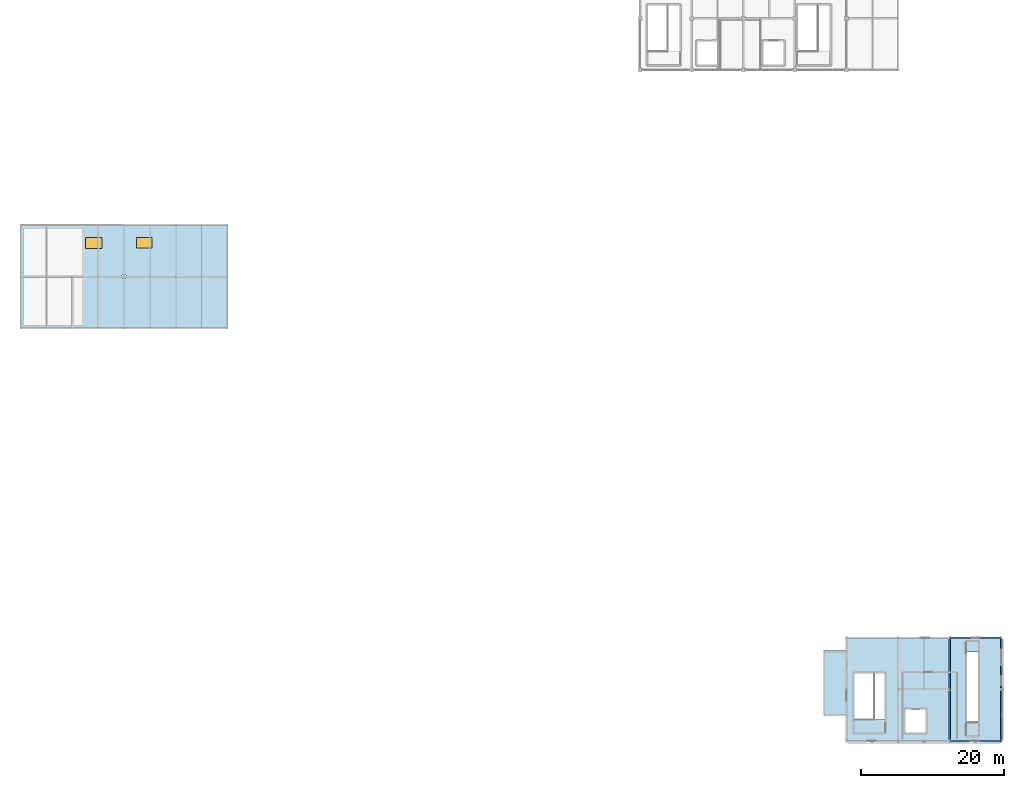
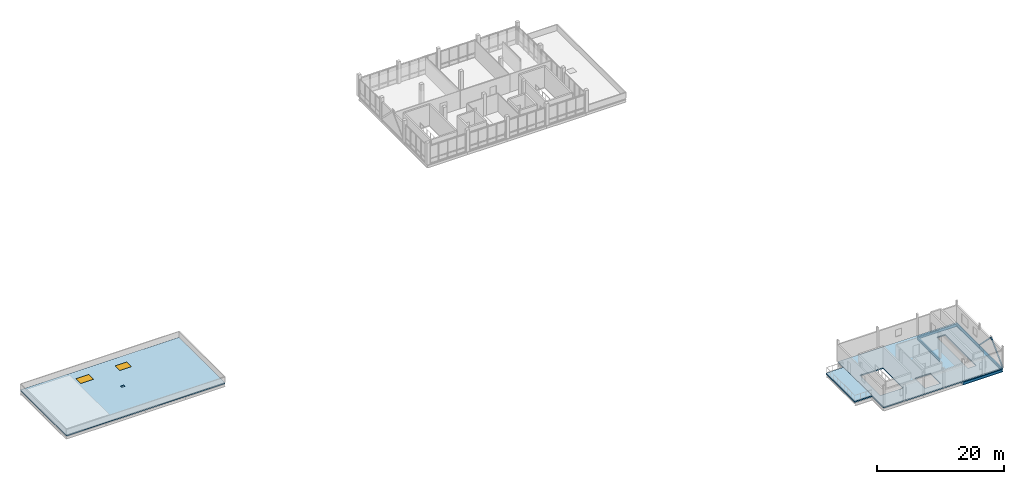
# One storey, part 15 of 28: 6 beams, 3 slabs, 2 members, 2 windows, 2 openings.
"""IFC4 building model written with IfcOpenShell, lengths in metres."""

from ifc_helpers import new_model, si_unit, direction, frame, origin, origin_2d, place, context, subcontext, project, spatial, polyline, rectangle, hollow_rectangle, i_section, outline, extrude, material, layer, layer_set, material_profile, profile_set, type_object, element, fill, save


model = new_model("IFC4")

# Units and contexts
model_context = context("Model", 3, precision=1e-05, world=origin(), true_north=direction((0.0, 1.0)))
body_context = subcontext(model_context, "Body", "Model", "MODEL_VIEW")
ifc_project = project(units=[si_unit("LENGTHUNIT", "METRE"), si_unit("AREAUNIT", "SQUARE_METRE"), si_unit("VOLUMEUNIT", "CUBIC_METRE"), si_unit("PLANEANGLEUNIT", "RADIAN"), si_unit("MASSUNIT", "GRAM", prefix="KILO")], contexts=[model_context])

# Site, building, storey
site_placement = place(None, origin())
site = spatial("IfcSite", under=ifc_project, at=site_placement, CompositionType="ELEMENT")
building_placement = place(site_placement, origin())
building = spatial("IfcBuilding", under=site, at=building_placement, Name="Yarey Park Central Fire Station", CompositionType="ELEMENT")
storey_placement = place(building_placement, frame((0.0, 0.0, 22.199951171875)))
storey = spatial("IfcBuildingStorey", under=building, at=storey_placement, Name="L06", CompositionType="ELEMENT", Elevation=22.199951171875)

# Beams
ifc_material_1 = material(Name="Steel ASTM A992 Gr. 50", Category="steel")
ifc_material_profile_1 = material_profile(ifc_material_1, i_section(OverallWidth=0.208984375, OverallDepth=0.532958984375, WebThickness=0.01025390625, FlangeThickness=0.015625, at=origin_2d()), Name="W530x92")
ifc_profile_set_1 = profile_set([ifc_material_profile_1], Name="Steel ASTM A992 Gr. 50")
beam_type = type_object("IfcBeamType", Name="STR_BM_W530", PredefinedType="BEAM", material=ifc_profile_set_1)
for number, where, z_axis, x_axis, name in (
    (1, (158.39990234375, 0.0, -0.491455078125), (1.0, 0.0, 0.0), (0.0, 1.0, 0.0), "BMX L06 Y0 X1584"),
    (2, (158.39990234375, 14.39990234375, -0.491455078125), (1.0, 0.0, 0.0), (0.0, 1.0, 0.0), "BMX L06 Y144 X1584"),
):
    element("IfcBeam", number, at=place(storey_placement, frame(where, z_axis=z_axis, x_axis=x_axis)), inside=storey, type_object=beam_type, Name=name, PredefinedType="BEAM", context=body_context, shape_type="SweptSolid", body=[
        extrude(i_section(OverallWidth=0.208984375, OverallDepth=0.532958984375, WebThickness=0.01025390625, FlangeThickness=0.015625, at=origin_2d()), origin(), (0.0, 0.0, 1.0), 7.2001953125),
    ])
for number, where, z_axis, x_axis, name in (
    (3, (158.39990234375, 0.0, -0.491455078125), (0.0, 1.0, 0.0), (-1.0, 0.0, 0.0), "BMY L06 X1584 Y0"),
    (4, (158.39990234375, 7.199951171875, -0.491455078125), (0.0, 1.0, 0.0), (-1.0, 0.0, 0.0), "BMY L06 X1584 Y72"),
    (5, (165.60009765625, 0.0, -0.491455078125), (0.0, 1.0, 0.0), (-1.0, 0.0, 0.0), "BMY L06 X1656 Y0"),
    (6, (165.60009765625, 7.199951171875, -0.491455078125), (0.0, 1.0, 0.0), (-1.0, 0.0, 0.0), "BMY L06 X1656 Y72"),
):
    element("IfcBeam", number, at=place(storey_placement, frame(where, z_axis=z_axis, x_axis=x_axis)), inside=storey, type_object=beam_type, Name=name, PredefinedType="BEAM", context=body_context, shape_type="SweptSolid", body=[
        extrude(i_section(OverallWidth=0.208984375, OverallDepth=0.532958984375, WebThickness=0.01025390625, FlangeThickness=0.015625, at=origin_2d()), origin(), (0.0, 0.0, 1.0), 7.199951171875),
    ])

# Members
ifc_material_2 = material(Name="Steel ASTM A500 Gr. C", Category="steel")
ifc_material_profile_2 = material_profile(ifc_material_2, hollow_rectangle(XDim=0.199951171875, YDim=0.199951171875, WallThickness=0.010009765625, at=origin_2d()), Name="HSS 200x200x10")
ifc_profile_set_2 = profile_set([ifc_material_profile_2], Name="Steel ASTM A500 Gr. C")
member_type = type_object("IfcMemberType", Name="STR_CBF_HSS200", PredefinedType="BRACE", material=ifc_profile_set_2)
member_1_placement = place(storey_placement, frame((165.60009765625, 0.0, 0.050048828125), z_axis=(0.0, 0.707106781187, 0.707106781187), x_axis=(-1.0, 0.0, 0.0)))
element("IfcMember", 7, at=member_1_placement, inside=storey, type_object=member_type, Name="CBF_DT_E1_L06", PredefinedType="BRACE", context=body_context, shape_type="SweptSolid", body=[
    extrude(hollow_rectangle(XDim=0.199951171875, YDim=0.199951171875, WallThickness=0.010009765625, at=origin_2d()), origin(), (0.0, 0.0, 1.0), 5.09130859375),
])
member_2_placement = place(storey_placement, frame((165.60009765625, 7.199951171875, 0.050048828125), z_axis=(0.0, -0.707082803744, 0.707130757816), x_axis=(1.0, 0.0, 0.0)))
element("IfcMember", 8, at=member_2_placement, inside=storey, type_object=member_type, Name="CBF_DT_E2_L06", PredefinedType="BRACE", context=body_context, shape_type="SweptSolid", body=[
    extrude(hollow_rectangle(XDim=0.199951171875, YDim=0.199951171875, WallThickness=0.010009765625, at=origin_2d()), origin(), (0.0, 0.0, 1.0), 5.091064453125),
])

# Slab, openings, windows
ifc_material_3 = material(Name="Concrete C40/50", Category="concrete")
ifc_layer_1 = layer(ifc_material_3, 0.2099609375)
ifc_layer_set_1 = layer_set([ifc_layer_1], Name="Concrete C40/50")
slab_type_1 = type_object("IfcSlabType", Name="STR_ROOF_FLAT210", PredefinedType="ROOF", material=ifc_layer_set_1)
slab_1_placement = place(storey_placement, frame((0.0, 0.0, -0.2099609375)))
slab_1 = element("IfcSlab", 9, at=slab_1_placement, inside=storey, type_object=slab_type_1, Name="ROOF_L06_V3_PAV", PredefinedType="ROOF", context=body_context, shape_type="SweptSolid", body=[
    extrude(outline(polyline([(28.800048828125, 57.60009765625), (57.60009765625, 57.60009765625), (57.60009765625, 72.0), (28.800048828125, 72.0), (28.800048828125, 57.60009765625)]), holes=[polyline([(42.89990234375, 64.60009765625), (43.5, 64.60009765625), (43.5, 65.0), (42.89990234375, 65.0), (42.89990234375, 64.60009765625)])]), origin(), (0.0, 0.0, 1.0), 0.2099609375),
])
opening_1_placement = place(slab_1_placement, frame((39.0, 69.5, -0.010009765625)))
opening_1 = element("IfcOpeningElement", 10, at=opening_1_placement, cuts=slab_1, Name="Opening SK-02", PredefinedType="OPENING", context=body_context, shape_type="SweptSolid", body=[
    extrude(rectangle(XDim=2.280029296875, YDim=1.52001953125, at=origin_2d()), origin(), (0.0, 0.0, 1.0), 0.22998046875),
])
opening_2_placement = place(slab_1_placement, frame((46.0, 69.5, -0.010009765625)))
opening_2 = element("IfcOpeningElement", 11, at=opening_2_placement, cuts=slab_1, Name="Opening SK-03", PredefinedType="OPENING", context=body_context, shape_type="SweptSolid", body=[
    extrude(rectangle(XDim=2.159912109375, YDim=1.4599609375, at=origin_2d()), origin(), (0.0, 0.0, 1.0), 0.22998046875),
])
ifc_material_4 = material(Name="Laminated Hurricane Low-E Glass", Category="glass")
window_type_1 = type_object("IfcWindowType", Name="ENV_SKY_02", PartitioningType="SINGLE_PANEL", PredefinedType="SKYLIGHT", material=ifc_material_4)
window_1_placement = place(slab_1_placement, frame((39.0, 69.5, 0.159912109375)))
window_1 = element("IfcWindow", 12, at=window_1_placement, inside=storey, type_object=window_type_1, Name="SKY_L06_PAV_1", OverallHeight=1.52001953125, OverallWidth=2.280029296875, PartitioningType="SINGLE_PANEL", PredefinedType="SKYLIGHT", context=body_context, shape_type="SweptSolid", body=[
    extrude(rectangle(XDim=2.280029296875, YDim=1.52001953125, at=origin_2d()), origin(), (0.0, 0.0, 1.0), 0.050048828125),
])
fill(opening_1, window_1)
window_type_2 = type_object("IfcWindowType", Name="ENV_SKY_03", PartitioningType="SINGLE_PANEL", PredefinedType="SKYLIGHT", material=ifc_material_4)
window_2_placement = place(slab_1_placement, frame((46.0, 69.5, 0.159912109375)))
window_2 = element("IfcWindow", 13, at=window_2_placement, inside=storey, type_object=window_type_2, Name="SKY_L06_PAV_2", OverallHeight=1.4599609375, OverallWidth=2.159912109375, PartitioningType="SINGLE_PANEL", PredefinedType="SKYLIGHT", context=body_context, shape_type="SweptSolid", body=[
    extrude(rectangle(XDim=2.159912109375, YDim=1.4599609375, at=origin_2d()), origin(), (0.0, 0.0, 1.0), 0.050048828125),
])
fill(opening_2, window_2)

# Slabs
ifc_layer_2 = layer(ifc_material_3, 0.22509765625)
ifc_layer_set_2 = layer_set([ifc_layer_2], Name="Concrete C40/50")
slab_type_2 = type_object("IfcSlabType", Name="STR_SLAB_F225", PredefinedType="FLOOR", material=ifc_layer_set_2)
slab_2_placement = place(storey_placement, frame((0.0, 0.0, -0.224853515625)))
element("IfcSlab", 14, at=slab_2_placement, inside=storey, type_object=slab_type_2, Name="SLAB_L06_V6_TOWER", PredefinedType="FLOOR", context=body_context, shape_type="SweptSolid", body=[
    extrude(outline(polyline([(144.0, 0.0), (165.60009765625, 0.0), (165.60009765625, 14.39990234375), (144.0, 14.39990234375), (144.0, 0.0)]), holes=[polyline([(145.10009765625, 3.0), (149.300048828125, 3.0), (149.300048828125, 9.39990234375), (145.10009765625, 9.39990234375), (145.10009765625, 3.0)]), polyline([(152.199951171875, 1.199951171875), (155.0, 1.199951171875), (155.0, 4.39990234375), (152.199951171875, 4.39990234375), (152.199951171875, 1.199951171875)]), polyline([(160.800048828125, 2.60009765625), (162.300048828125, 2.60009765625), (162.300048828125, 12.39990234375), (160.800048828125, 12.39990234375), (160.800048828125, 2.60009765625)])]), origin(), (0.0, 0.0, 1.0), 0.224853515625),
])
ifc_layer_3 = layer(ifc_material_3, 0.235107421875)
ifc_layer_set_3 = layer_set([ifc_layer_3], Name="Concrete C40/50")
slab_type_3 = type_object("IfcSlabType", Name="STR_SLAB_TER235", PredefinedType="FLOOR", material=ifc_layer_set_3)
slab_3_placement = place(storey_placement, frame((0.0, 0.0, -0.23486328125)))
element("IfcSlab", 15, at=slab_3_placement, inside=storey, type_object=slab_type_3, Name="SLAB_L06_V6_BALC", PredefinedType="FLOOR", context=body_context, shape_type="SweptSolid", body=[
    extrude(outline(polyline([(140.800048828125, 3.60009765625), (144.0, 3.60009765625), (144.0, 12.60009765625), (140.800048828125, 12.60009765625), (140.800048828125, 3.60009765625)])), origin(), (0.0, 0.0, 1.0), 0.23486328125),
])

save(model, "model.ifc")
